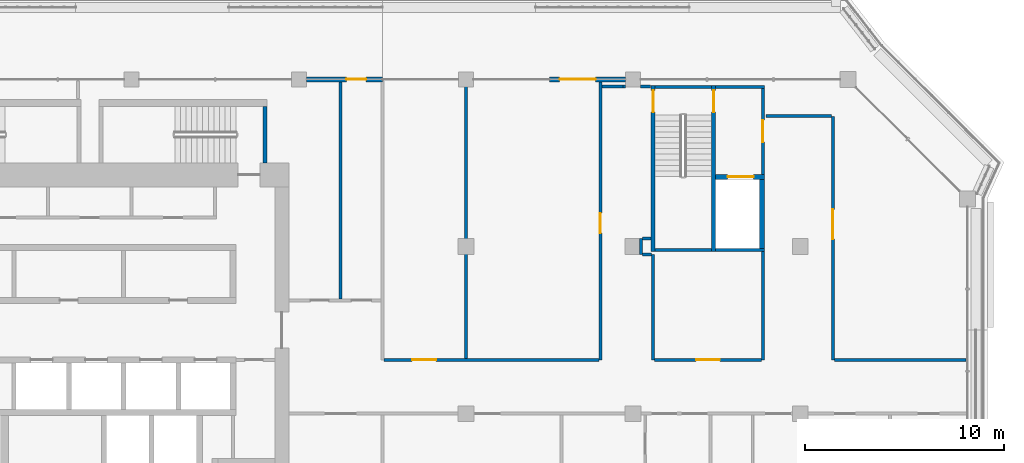
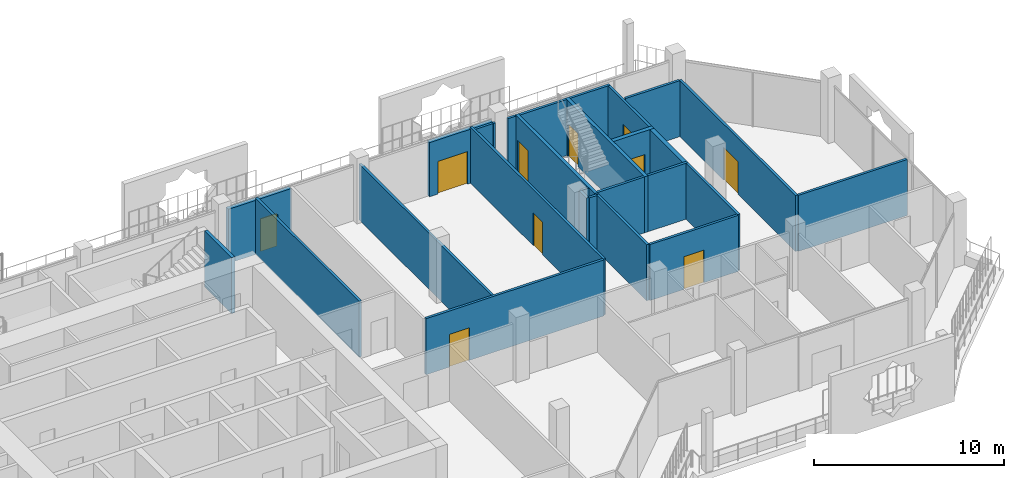
# One storey, part 13 of 22: 28 walls, 10 doors, 10 openings.
"""IFC4 building model written with IfcOpenShell, lengths in metres."""

from ifc_helpers import new_model, si_unit, direction, frame, frame_2d, origin, place, context, subcontext, project, spatial, rectangle, extrude, material, layer, layer_set, type_object, element, fill, save


model = new_model("IFC4")

# Units and contexts
model_context = context("Model", 3, precision=1e-05, world=origin(), true_north=direction((0.0, 1.0)))
body_context = subcontext(model_context, "Body", "Model", "MODEL_VIEW")
ifc_project = project(units=[si_unit("LENGTHUNIT", "METRE"), si_unit("AREAUNIT", "SQUARE_METRE"), si_unit("VOLUMEUNIT", "CUBIC_METRE"), si_unit("PLANEANGLEUNIT", "RADIAN"), si_unit("MASSUNIT", "GRAM", prefix="KILO")], contexts=[model_context])

# Site, building, storey
site_placement = place(None, origin())
site = spatial("IfcSite", under=ifc_project, at=site_placement, CompositionType="ELEMENT")
building_placement = place(site_placement, origin())
building = spatial("IfcBuilding", under=site, at=building_placement, Name="Kawkab Arch Medical Tower", CompositionType="ELEMENT")
storey_placement = place(building_placement, frame((0.0, 0.0, 294.39990234375)))
storey = spatial("IfcBuildingStorey", under=building, at=storey_placement, Name="L68", CompositionType="ELEMENT", Elevation=294.39990234375)

# Wall, opening, door
ifc_material_1 = material(Name="Gypsum board on steel studs", Category="steel")
ifc_layer_1 = layer(ifc_material_1, 0.14990234375)
ifc_layer_set_1 = layer_set([ifc_layer_1], Name="Gypsum board on steel studs")
wall_type_1 = type_object("IfcWallType", Name="Core room partition 150", PredefinedType="PARTITIONING", material=ifc_layer_set_1)
wall_1_placement = place(storey_placement, frame((48.52490234375, -4.77490234375, 0.0), z_axis=(0.0, 0.0, 1.0), x_axis=(0.0, 1.0, 0.0)))
wall_1 = element("IfcWall", 1, at=wall_1_placement, inside=storey, type_object=wall_type_1, Name="L68 core room partition", PredefinedType="PARTITIONING", context=body_context, shape_type="SweptSolid", body=[
    extrude(rectangle(XDim=4.324951171875, YDim=0.14990234375, at=frame_2d((2.16259765625, 0.0))), origin(), (0.0, 0.0, 1.0), 3.60009765625),
])
opening_1_placement = place(wall_1_placement, frame((1.625, 0.0, 0.0)))
opening_1 = element("IfcOpeningElement", 2, at=opening_1_placement, cuts=wall_1, Name="Opening FD", PredefinedType="OPENING", context=body_context, shape_type="SweptSolid", body=[
    extrude(rectangle(XDim=1.10009765625, YDim=2.10009765625, at=frame_2d((0.550048828125, 1.050048828125))), frame((0.0, 0.0849609375, 0.0), z_axis=(0.0, -1.0, 0.0), x_axis=(1.0, 0.0, 0.0)), (0.0, 0.0, 1.0), 0.169921875),
])
ifc_material_2 = material(Name="Hollow metal fire door leaf")
door_type_1 = type_object("IfcDoorType", Name="Firefighting lobby door 1100", OperationType="SINGLE_SWING_LEFT", PredefinedType="DOOR", material=ifc_material_2)
door_1_placement = place(opening_1_placement, origin())
door_1 = element("IfcDoor", 3, at=door_1_placement, inside=storey, type_object=door_type_1, Name="L68 Service lift lobby door SV1", OperationType="SINGLE_SWING_LEFT", OverallHeight=2.10009765625, OverallWidth=1.10009765625, PredefinedType="DOOR", context=body_context, shape_type="SweptSolid", body=[
    extrude(rectangle(XDim=1.10009765625, YDim=2.10009765625, at=frame_2d((0.550048828125, 1.050048828125))), frame((0.0, 0.02490234375, 0.0), z_axis=(0.0, -1.0, 0.0), x_axis=(1.0, 0.0, 0.0)), (0.0, 0.0, 1.0), 0.050048828125),
])
fill(opening_1, door_1)

ifc_material_3 = material(Name="Concrete C60/75", Category="concrete")
ifc_layer_2 = layer(ifc_material_3, 0.25)
ifc_layer_set_2 = layer_set([ifc_layer_2], Name="Concrete C60/75")
wall_type_2 = type_object("IfcWallType", Name="Core shear wall 250 C60/75", PredefinedType="SHEAR", material=ifc_layer_set_2)
wall_2_placement = place(storey_placement, frame((46.14990234375, -4.89990234375, 0.0), z_axis=(0.0, 0.0, 1.0), x_axis=(1.0, 0.0, 0.0)))
wall_2 = element("IfcWall", 4, at=wall_2_placement, inside=storey, type_object=wall_type_2, Name="L68 core shear wall", PredefinedType="SHEAR", context=body_context, shape_type="SweptSolid", body=[
    extrude(rectangle(XDim=2.4501953125, YDim=0.25, at=frame_2d((1.22509765625, 0.0))), origin(), (0.0, 0.0, 1.0), 3.60009765625),
])
opening_2_placement = place(wall_2_placement, frame((0.60009765625, 0.0, 0.0)))
opening_2 = element("IfcOpeningElement", 5, at=opening_2_placement, cuts=wall_2, Name="Opening LD2", PredefinedType="OPENING", context=body_context, shape_type="SweptSolid", body=[
    extrude(rectangle(XDim=1.300048828125, YDim=2.10009765625, at=frame_2d((0.64990234375, 1.050048828125))), frame((0.0, 0.135009765625, 0.0), z_axis=(0.0, -1.0, 0.0), x_axis=(1.0, 0.0, 0.0)), (0.0, 0.0, 1.0), 0.27001953125),
])
ifc_material_4 = material(Name="Stainless steel lift door leaf", Category="steel")
door_type_2 = type_object("IfcDoorType", Name="Lift landing door 1300", OperationType="DOUBLE_DOOR_SLIDING", PredefinedType="DOOR", material=ifc_material_4)
door_2_placement = place(opening_2_placement, origin())
door_2 = element("IfcDoor", 6, at=door_2_placement, inside=storey, type_object=door_type_2, Name="L68 Lift landing door SV1", OperationType="DOUBLE_DOOR_SLIDING", OverallHeight=2.10009765625, OverallWidth=1.300048828125, PredefinedType="DOOR", context=body_context, shape_type="SweptSolid", body=[
    extrude(rectangle(XDim=1.300048828125, YDim=2.10009765625, at=frame_2d((0.64990234375, 1.050048828125))), frame((0.0, 0.02490234375, 0.0), z_axis=(0.0, -1.0, 0.0), x_axis=(1.0, 0.0, 0.0)), (0.0, 0.0, 1.0), 0.050048828125),
])
fill(opening_2, door_2)

# Wall
wall_3_placement = place(storey_placement, frame((48.47509765625, -8.5, 0.0), z_axis=(0.0, 0.0, 1.0), x_axis=(0.0, 1.0, 0.0)))
element("IfcWall", 7, at=wall_3_placement, inside=storey, type_object=wall_type_2, Name="L68 core shear wall", PredefinedType="SHEAR", context=body_context, shape_type="SweptSolid", body=[
    extrude(rectangle(XDim=3.47509765625, YDim=0.25, at=frame_2d((1.737548828125, 0.0))), origin(), (0.0, 0.0, 1.0), 3.60009765625),
])

# Wall, opening, door
ifc_material_5 = material(Name="Bronze clad insulated wall panel")
ifc_layer_3 = layer(ifc_material_5, 0.25)
ifc_layer_set_3 = layer_set([ifc_layer_3], Name="Bronze clad insulated wall panel")
wall_type_3 = type_object("IfcWallType", Name="External wall bay 250", PredefinedType="SOLIDWALL", material=ifc_layer_set_3)
wall_4_placement = place(storey_placement, frame((41.625, 0.0, 0.0), z_axis=(0.0, 0.0, 1.0), x_axis=(-1.0, 0.0, 0.0)))
wall_4 = element("IfcWall", 8, at=wall_4_placement, inside=storey, type_object=wall_type_3, Name="External wall bay L68.R15.2.1", PredefinedType="SOLIDWALL", context=body_context, shape_type="SweptSolid", body=[
    extrude(rectangle(XDim=3.824951171875, YDim=0.25, at=frame_2d((1.91259765625, 0.0))), origin(), (0.0, 0.0, 1.0), 3.47998046875),
])
opening_3_placement = place(wall_4_placement, frame((1.512451171875, 0.0, 0.0)))
opening_3 = element("IfcOpeningElement", 9, at=opening_3_placement, cuts=wall_4, Name="Opening W68-701", PredefinedType="OPENING", context=body_context, shape_type="SweptSolid", body=[
    extrude(rectangle(XDim=1.800048828125, YDim=2.10009765625, at=frame_2d((0.89990234375, 1.050048828125))), frame((0.0, 0.135009765625, 0.0), z_axis=(0.0, -1.0, 0.0), x_axis=(1.0, 0.0, 0.0)), (0.0, 0.0, 1.0), 0.27001953125),
])
ifc_material_6 = material(Name="Bronze anodised aluminium door with tinted glass", Category="aluminium")
door_type_3 = type_object("IfcDoorType", Name="Double external door 1800 x 2100", OperationType="DOUBLE_DOOR_SINGLE_SWING", PredefinedType="DOOR", material=ifc_material_6)
door_3_placement = place(opening_3_placement, origin())
door_3 = element("IfcDoor", 10, at=door_3_placement, inside=storey, type_object=door_type_3, Name="External door L68.R15.2.1", OperationType="DOUBLE_DOOR_SINGLE_SWING", OverallHeight=2.10009765625, OverallWidth=1.800048828125, PredefinedType="DOOR", context=body_context, shape_type="SweptSolid", body=[
    extrude(rectangle(XDim=1.800048828125, YDim=2.10009765625, at=frame_2d((0.89990234375, 1.050048828125))), frame((0.0, 0.02490234375, 0.0), z_axis=(0.0, -1.0, 0.0), x_axis=(1.0, 0.0, 0.0)), (0.0, 0.0, 1.0), 0.050048828125),
])
fill(opening_3, door_3)

wall_5_placement = place(storey_placement, frame((29.39990234375, 0.0, 0.0), z_axis=(0.0, 0.0, 1.0), x_axis=(-1.0, 0.0, 0.0)))
wall_5 = element("IfcWall", 11, at=wall_5_placement, inside=storey, type_object=wall_type_3, Name="External wall bay L68.R15.3.2", PredefinedType="SOLIDWALL", context=body_context, shape_type="SweptSolid", body=[
    extrude(rectangle(XDim=3.824951171875, YDim=0.25, at=frame_2d((1.91259765625, 0.0))), origin(), (0.0, 0.0, 1.0), 3.47998046875),
])
opening_4_placement = place(wall_5_placement, frame((0.8125, 0.0, 0.0)))
opening_4 = element("IfcOpeningElement", 12, at=opening_4_placement, cuts=wall_5, Name="Opening W68-702", PredefinedType="OPENING", context=body_context, shape_type="SweptSolid", body=[
    extrude(rectangle(XDim=1.0, YDim=2.10009765625, at=frame_2d((0.5, 1.050048828125))), frame((0.0, 0.135009765625, 0.0), z_axis=(0.0, -1.0, 0.0), x_axis=(1.0, 0.0, 0.0)), (0.0, 0.0, 1.0), 0.27001953125),
])
ifc_material_7 = material(Name="Bronze anodised aluminium door with tinted glass", Category="aluminium")
door_type_4 = type_object("IfcDoorType", Name="Single external door 1000 x 2100", OperationType="SINGLE_SWING_LEFT", PredefinedType="DOOR", material=ifc_material_7)
door_4_placement = place(opening_4_placement, origin())
door_4 = element("IfcDoor", 13, at=door_4_placement, inside=storey, type_object=door_type_4, Name="External door L68.R15.3.2", OperationType="SINGLE_SWING_LEFT", OverallHeight=2.10009765625, OverallWidth=1.0, PredefinedType="DOOR", context=body_context, shape_type="SweptSolid", body=[
    extrude(rectangle(XDim=1.0, YDim=2.10009765625, at=frame_2d((0.5, 1.050048828125))), frame((0.0, 0.02490234375, 0.0), z_axis=(0.0, -1.0, 0.0), x_axis=(1.0, 0.0, 0.0)), (0.0, 0.0, 1.0), 0.050048828125),
])
fill(opening_4, door_4)

ifc_material_8 = material(Name="Gypsum board partition on steel studs, mineral wool", Category="steel")
ifc_layer_4 = layer(ifc_material_8, 0.14990234375)
ifc_layer_set_4 = layer_set([ifc_layer_4], Name="Gypsum board partition on steel studs, mineral wool")
wall_type_4 = type_object("IfcWallType", Name="Partition 150", PredefinedType="PARTITIONING", material=ifc_layer_set_4)
wall_6_placement = place(storey_placement, frame((29.47509765625, -14.10009765625, 0.0), z_axis=(0.0, 0.0, 1.0), x_axis=(1.0, 0.0, 0.0)))
wall_6 = element("IfcWall", 14, at=wall_6_placement, inside=storey, type_object=wall_type_4, Name="Partition 150 w015", PredefinedType="PARTITIONING", context=body_context, shape_type="SweptSolid", body=[
    extrude(rectangle(XDim=10.806884765625, YDim=0.14990234375, at=frame_2d((5.4033203125, 0.0))), origin(), (0.0, 0.0, 1.0), 3.60009765625),
])
opening_5_placement = place(wall_6_placement, frame((1.425048828125, 0.0, 0.0)))
opening_5 = element("IfcOpeningElement", 15, at=opening_5_placement, cuts=wall_6, Name="Opening W68-021", PredefinedType="OPENING", context=body_context, shape_type="SweptSolid", body=[
    extrude(rectangle(XDim=1.199951171875, YDim=2.10009765625, at=frame_2d((0.60009765625, 1.050048828125))), frame((0.0, 0.0849609375, 0.0), z_axis=(0.0, -1.0, 0.0), x_axis=(1.0, 0.0, 0.0)), (0.0, 0.0, 1.0), 0.169921875),
])
ifc_material_9 = material(Name="Hollow metal door leaf")
door_type_5 = type_object("IfcDoorType", Name="Single door 1200x2100 FD30S", OperationType="NOTDEFINED", PredefinedType="DOOR", material=ifc_material_9)
door_5_placement = place(opening_5_placement, origin())
door_5 = element("IfcDoor", 16, at=door_5_placement, inside=storey, type_object=door_type_5, Name="Door W68-021", OperationType="SINGLE_SWING_LEFT", OverallHeight=2.10009765625, OverallWidth=1.199951171875, PredefinedType="DOOR", context=body_context, shape_type="SweptSolid", body=[
    extrude(rectangle(XDim=1.199951171875, YDim=2.10009765625, at=frame_2d((0.60009765625, 1.050048828125))), frame((0.0, 0.02490234375, 0.0), z_axis=(0.0, -1.0, 0.0), x_axis=(1.0, 0.0, 0.0)), (0.0, 0.0, 1.0), 0.050048828125),
])
fill(opening_5, door_5)

wall_7_placement = place(storey_placement, frame((43.074951171875, -14.10009765625, 0.0), z_axis=(0.0, 0.0, 1.0), x_axis=(1.0, 0.0, 0.0)))
wall_7 = element("IfcWall", 17, at=wall_7_placement, inside=storey, type_object=wall_type_4, Name="Partition 150 w016", PredefinedType="PARTITIONING", context=body_context, shape_type="SweptSolid", body=[
    extrude(rectangle(XDim=5.375, YDim=0.14990234375, at=frame_2d((2.6875, 0.0))), origin(), (0.0, 0.0, 1.0), 3.60009765625),
])
opening_6_placement = place(wall_7_placement, frame((2.0869140625, 0.0, 0.0)))
opening_6 = element("IfcOpeningElement", 18, at=opening_6_placement, cuts=wall_7, Name="Opening W68-014", PredefinedType="OPENING", context=body_context, shape_type="SweptSolid", body=[
    extrude(rectangle(XDim=1.199951171875, YDim=2.10009765625, at=frame_2d((0.60009765625, 1.050048828125))), frame((0.0, 0.0849609375, 0.0), z_axis=(0.0, -1.0, 0.0), x_axis=(1.0, 0.0, 0.0)), (0.0, 0.0, 1.0), 0.169921875),
])
door_6_placement = place(opening_6_placement, origin())
door_6 = element("IfcDoor", 19, at=door_6_placement, inside=storey, type_object=door_type_5, Name="Door W68-014", OperationType="SINGLE_SWING_RIGHT", OverallHeight=2.10009765625, OverallWidth=1.199951171875, PredefinedType="DOOR", context=body_context, shape_type="SweptSolid", body=[
    extrude(rectangle(XDim=1.199951171875, YDim=2.10009765625, at=frame_2d((0.60009765625, 1.050048828125))), frame((0.0, 0.02490234375, 0.0), z_axis=(0.0, -1.0, 0.0), x_axis=(1.0, 0.0, 0.0)), (0.0, 0.0, 1.0), 0.050048828125),
])
fill(opening_6, door_6)

# Walls
wall_8_placement = place(storey_placement, frame((52.117919921875, -14.10009765625, 0.0), z_axis=(0.0, 0.0, 1.0), x_axis=(1.0, 0.0, 0.0)))
element("IfcWall", 20, at=wall_8_placement, inside=storey, type_object=wall_type_4, Name="Partition 150 w017", PredefinedType="PARTITIONING", context=body_context, shape_type="SweptSolid", body=[
    extrude(rectangle(XDim=6.60205078125, YDim=0.14990234375, at=frame_2d((3.301025390625, 0.0))), origin(), (0.0, 0.0, 1.0), 3.60009765625),
])
wall_9_placement = place(storey_placement, frame((42.47509765625, -8.800048828125, 0.0), z_axis=(0.0, 0.0, 1.0), x_axis=(1.0, 0.0, 0.0)))
element("IfcWall", 21, at=wall_9_placement, inside=storey, type_object=wall_type_4, Name="Partition 150 w019", PredefinedType="PARTITIONING", context=body_context, shape_type="SweptSolid", body=[
    extrude(rectangle(XDim=0.447998046875, YDim=0.14990234375, at=frame_2d((0.22412109375, 0.0))), origin(), (0.0, 0.0, 1.0), 3.60009765625),
])
wall_10_placement = place(storey_placement, frame((42.47607421875, -8.0, 0.0), z_axis=(0.0, 0.0, 1.0), x_axis=(1.0, 0.0, 0.0)))
element("IfcWall", 22, at=wall_10_placement, inside=storey, type_object=wall_type_4, Name="Partition 150 w020", PredefinedType="PARTITIONING", context=body_context, shape_type="SweptSolid", body=[
    extrude(rectangle(XDim=0.423828125, YDim=0.14990234375, at=frame_2d((0.2119140625, 0.0))), origin(), (0.0, 0.0, 1.0), 3.60009765625),
])
wall_11_placement = place(storey_placement, frame((48.679931640625, -1.85009765625, 0.0), z_axis=(0.0, 0.0, 1.0), x_axis=(1.0, 0.0, 0.0)))
element("IfcWall", 23, at=wall_11_placement, inside=storey, type_object=wall_type_4, Name="Partition 150 w021", PredefinedType="PARTITIONING", context=body_context, shape_type="SweptSolid", body=[
    extrude(rectangle(XDim=3.287109375, YDim=0.14990234375, at=frame_2d((1.6435546875, 0.0))), origin(), (0.0, 0.0, 1.0), 3.60009765625),
])
wall_12_placement = place(storey_placement, frame((41.488037109375, -0.362060546875, 0.0), z_axis=(0.0, 0.0, 1.0), x_axis=(1.0, 0.0, 0.0)))
element("IfcWall", 24, at=wall_12_placement, inside=storey, type_object=wall_type_4, Name="Partition 150 w022", PredefinedType="PARTITIONING", context=body_context, shape_type="SweptSolid", body=[
    extrude(rectangle(XDim=0.136962890625, YDim=0.14990234375, at=frame_2d((0.068359375, 0.0))), origin(), (0.0, 0.0, 1.0), 3.60009765625),
])
wall_13_placement = place(storey_placement, frame((42.375, -0.362060546875, 0.0), z_axis=(0.0, 0.0, 1.0), x_axis=(1.0, 0.0, 0.0)))
element("IfcWall", 25, at=wall_13_placement, inside=storey, type_object=wall_type_4, Name="Partition 150 w023", PredefinedType="PARTITIONING", context=body_context, shape_type="SweptSolid", body=[
    extrude(rectangle(XDim=0.4951171875, YDim=0.14990234375, at=frame_2d((0.24755859375, 0.0))), origin(), (0.0, 0.0, 1.0), 3.60009765625),
])
wall_14_placement = place(storey_placement, frame((40.431884765625, -0.35009765625, 0.0), z_axis=(0.0, 0.0, 1.0), x_axis=(1.0, 0.0, 0.0)))
element("IfcWall", 26, at=wall_14_placement, inside=storey, type_object=wall_type_4, Name="Partition 150 w024", PredefinedType="PARTITIONING", context=body_context, shape_type="SweptSolid", body=[
    extrude(rectangle(XDim=1.05615234375, YDim=0.14990234375, at=frame_2d((0.528076171875, 0.0))), origin(), (0.0, 0.0, 1.0), 3.60009765625),
])
wall_15_placement = place(storey_placement, frame((27.300048828125, -11.02490234375, 0.0), z_axis=(0.0, 0.0, 1.0), x_axis=(0.0, 1.0, 0.0)))
element("IfcWall", 27, at=wall_15_placement, inside=storey, type_object=wall_type_4, Name="Partition 150 w031", PredefinedType="PARTITIONING", context=body_context, shape_type="SweptSolid", body=[
    extrude(rectangle(XDim=10.94482421875, YDim=0.14990234375, at=frame_2d((5.472412109375, 0.0))), origin(), (0.0, 0.0, 1.0), 3.60009765625),
])
wall_16_placement = place(storey_placement, frame((33.60009765625, -14.02490234375, 0.0), z_axis=(0.0, 0.0, 1.0), x_axis=(0.0, 1.0, 0.0)))
element("IfcWall", 28, at=wall_16_placement, inside=storey, type_object=wall_type_4, Name="Partition 150 w034", PredefinedType="PARTITIONING", context=body_context, shape_type="SweptSolid", body=[
    extrude(rectangle(XDim=13.94482421875, YDim=0.14990234375, at=frame_2d((6.972412109375, 0.0))), origin(), (0.0, 0.0, 1.0), 3.60009765625),
])

# Wall, opening, door
wall_17_placement = place(storey_placement, frame((40.35693359375, -14.10009765625, 0.0), z_axis=(0.0, 0.0, 1.0), x_axis=(0.0, 1.0, 0.0)))
wall_17 = element("IfcWall", 29, at=wall_17_placement, inside=storey, type_object=wall_type_4, Name="Partition 150 w036", PredefinedType="PARTITIONING", context=body_context, shape_type="SweptSolid", body=[
    extrude(rectangle(XDim=14.02001953125, YDim=0.14990234375, at=frame_2d((7.010009765625, 0.0))), origin(), (0.0, 0.0, 1.0), 3.60009765625),
])
opening_7_placement = place(wall_17_placement, frame((6.375, 0.0, 0.0)))
opening_7 = element("IfcOpeningElement", 30, at=opening_7_placement, cuts=wall_17, Name="Opening W68-010", PredefinedType="OPENING", context=body_context, shape_type="SweptSolid", body=[
    extrude(rectangle(XDim=1.0, YDim=2.10009765625, at=frame_2d((0.5, 1.050048828125))), frame((0.0, 0.0849609375, 0.0), z_axis=(0.0, -1.0, 0.0), x_axis=(1.0, 0.0, 0.0)), (0.0, 0.0, 1.0), 0.169921875),
])
ifc_material_10 = material(Name="Hollow metal door leaf")
door_type_6 = type_object("IfcDoorType", Name="Single door 1000x2100 FD30S", OperationType="NOTDEFINED", PredefinedType="DOOR", material=ifc_material_10)
door_7_placement = place(opening_7_placement, origin())
door_7 = element("IfcDoor", 31, at=door_7_placement, inside=storey, type_object=door_type_6, Name="Door W68-010", OperationType="SINGLE_SWING_LEFT", OverallHeight=2.10009765625, OverallWidth=1.0, PredefinedType="DOOR", context=body_context, shape_type="SweptSolid", body=[
    extrude(rectangle(XDim=1.0, YDim=2.10009765625, at=frame_2d((0.5, 1.050048828125))), frame((0.0, 0.02490234375, 0.0), z_axis=(0.0, -1.0, 0.0), x_axis=(1.0, 0.0, 0.0)), (0.0, 0.0, 1.0), 0.050048828125),
])
fill(opening_7, door_7)

# Walls
wall_18_placement = place(storey_placement, frame((42.39990234375, -8.800048828125, 0.0), z_axis=(0.0, 0.0, 1.0), x_axis=(0.0, 1.0, 0.0)))
element("IfcWall", 32, at=wall_18_placement, inside=storey, type_object=wall_type_4, Name="Partition 150 w037", PredefinedType="PARTITIONING", context=body_context, shape_type="SweptSolid", body=[
    extrude(rectangle(XDim=0.799072265625, YDim=0.14990234375, at=frame_2d((0.3994140625, 0.0))), origin(), (0.0, 0.0, 1.0), 3.60009765625),
])
wall_19_placement = place(storey_placement, frame((43.0, -14.10009765625, 0.0), z_axis=(0.0, 0.0, 1.0), x_axis=(0.0, 1.0, 0.0)))
element("IfcWall", 33, at=wall_19_placement, inside=storey, type_object=wall_type_4, Name="Partition 150 w038", PredefinedType="PARTITIONING", context=body_context, shape_type="SweptSolid", body=[
    extrude(rectangle(XDim=5.298095703125, YDim=0.14990234375, at=frame_2d((2.64892578125, 0.0))), origin(), (0.0, 0.0, 1.0), 3.60009765625),
])
wall_20_placement = place(storey_placement, frame((48.52490234375, -14.10009765625, 0.0), z_axis=(0.0, 0.0, 1.0), x_axis=(0.0, 1.0, 0.0)))
element("IfcWall", 34, at=wall_20_placement, inside=storey, type_object=wall_type_4, Name="Partition 150 w040", PredefinedType="PARTITIONING", context=body_context, shape_type="SweptSolid", body=[
    extrude(rectangle(XDim=5.4501953125, YDim=0.14990234375, at=frame_2d((2.72509765625, 0.0))), origin(), (0.0, 0.0, 1.0), 3.60009765625),
])

# Wall, opening, door
wall_21_placement = place(storey_placement, frame((52.04296875, -14.10009765625, 0.0), z_axis=(0.0, 0.0, 1.0), x_axis=(0.0, 1.0, 0.0)))
wall_21 = element("IfcWall", 35, at=wall_21_placement, inside=storey, type_object=wall_type_4, Name="Partition 150 w042", PredefinedType="PARTITIONING", context=body_context, shape_type="SweptSolid", body=[
    extrude(rectangle(XDim=12.248046875, YDim=0.14990234375, at=frame_2d((6.1240234375, 0.0))), origin(), (0.0, 0.0, 1.0), 3.60009765625),
])
opening_8_placement = place(wall_21_placement, frame((6.073974609375, 0.0, 0.0)))
opening_8 = element("IfcOpeningElement", 36, at=opening_8_placement, cuts=wall_21, Name="Opening W68-002", PredefinedType="OPENING", context=body_context, shape_type="SweptSolid", body=[
    extrude(rectangle(XDim=1.5, YDim=2.10009765625, at=frame_2d((0.75, 1.050048828125))), frame((0.0, 0.0849609375, 0.0), z_axis=(0.0, -1.0, 0.0), x_axis=(1.0, 0.0, 0.0)), (0.0, 0.0, 1.0), 0.169921875),
])
ifc_material_11 = material(Name="Hollow metal door leaf")
door_type_7 = type_object("IfcDoorType", Name="Double door 1500x2100 FD30S", OperationType="NOTDEFINED", PredefinedType="DOOR", material=ifc_material_11)
door_8_placement = place(opening_8_placement, origin())
door_8 = element("IfcDoor", 37, at=door_8_placement, inside=storey, type_object=door_type_7, Name="Door W68-002", OperationType="DOUBLE_DOOR_SINGLE_SWING", OverallHeight=2.10009765625, OverallWidth=1.5, PredefinedType="DOOR", context=body_context, shape_type="SweptSolid", body=[
    extrude(rectangle(XDim=1.5, YDim=2.10009765625, at=frame_2d((0.75, 1.050048828125))), frame((0.0, 0.02490234375, 0.0), z_axis=(0.0, -1.0, 0.0), x_axis=(1.0, 0.0, 0.0)), (0.0, 0.0, 1.0), 0.050048828125),
])
fill(opening_8, door_8)

# Walls
ifc_material_12 = material(Name="Concrete C50/60", Category="concrete")
ifc_layer_5 = layer(ifc_material_12, 0.14990234375)
ifc_layer_set_5 = layer_set([ifc_layer_5], Name="Concrete C50/60")
wall_type_5 = type_object("IfcWallType", Name="Stair enclosure wall 150 C50/60", PredefinedType="SHEAR", material=ifc_layer_set_5)
wall_22_placement = place(storey_placement, frame((43.10009765625, -0.375, 0.0), z_axis=(0.0, 0.0, 1.0), x_axis=(1.0, 0.0, 0.0)))
element("IfcWall", 38, at=wall_22_placement, inside=storey, type_object=wall_type_5, Name="L68 stair enclosure wall", PredefinedType="SHEAR", context=body_context, shape_type="SweptSolid", body=[
    extrude(rectangle(XDim=2.849853515625, YDim=0.14990234375, at=frame_2d((1.4248046875, 0.0))), origin(), (0.0, 0.0, 1.0), 3.60009765625),
])
wall_23_placement = place(storey_placement, frame((46.14990234375, -0.375, 0.0), z_axis=(0.0, 0.0, 1.0), x_axis=(1.0, 0.0, 0.0)))
element("IfcWall", 39, at=wall_23_placement, inside=storey, type_object=wall_type_5, Name="L68 stair enclosure wall", PredefinedType="SHEAR", context=body_context, shape_type="SweptSolid", body=[
    extrude(rectangle(XDim=2.4501953125, YDim=0.14990234375, at=frame_2d((1.22509765625, 0.0))), origin(), (0.0, 0.0, 1.0), 3.60009765625),
])
wall_24_placement = place(storey_placement, frame((43.10009765625, -8.574951171875, 0.0), z_axis=(0.0, 0.0, 1.0), x_axis=(1.0, 0.0, 0.0)))
element("IfcWall", 40, at=wall_24_placement, inside=storey, type_object=wall_type_5, Name="L68 stair enclosure wall", PredefinedType="SHEAR", context=body_context, shape_type="SweptSolid", body=[
    extrude(rectangle(XDim=2.849853515625, YDim=0.14990234375, at=frame_2d((1.4248046875, 0.0))), origin(), (0.0, 0.0, 1.0), 3.60009765625),
])
wall_25_placement = place(storey_placement, frame((46.14990234375, -8.574951171875, 0.0), z_axis=(0.0, 0.0, 1.0), x_axis=(1.0, 0.0, 0.0)))
element("IfcWall", 41, at=wall_25_placement, inside=storey, type_object=wall_type_5, Name="L68 stair enclosure wall", PredefinedType="SHEAR", context=body_context, shape_type="SweptSolid", body=[
    extrude(rectangle(XDim=2.4501953125, YDim=0.14990234375, at=frame_2d((1.22509765625, 0.0))), origin(), (0.0, 0.0, 1.0), 3.60009765625),
])
ifc_material_13 = material(Name="Concrete C50/60", Category="concrete")
ifc_layer_6 = layer(ifc_material_13, 0.199951171875)
ifc_layer_set_6 = layer_set([ifc_layer_6], Name="Concrete C50/60")
wall_type_6 = type_object("IfcWallType", Name="Stair enclosure wall 200 C50/60", PredefinedType="SHEAR", material=ifc_layer_set_6)
wall_26_placement = place(storey_placement, frame((23.5, -4.199951171875, 0.0), z_axis=(0.0, 0.0, 1.0), x_axis=(0.0, 1.0, 0.0)))
element("IfcWall", 42, at=wall_26_placement, inside=storey, type_object=wall_type_6, Name="L68 stair enclosure wall", PredefinedType="SHEAR", context=body_context, shape_type="SweptSolid", body=[
    extrude(rectangle(XDim=2.849853515625, YDim=0.199951171875, at=frame_2d((1.4248046875, 0.0))), origin(), (0.0, 0.0, 1.0), 3.60009765625),
])

# Wall, opening, door
wall_27_placement = place(storey_placement, frame((43.0, -8.64990234375, 0.0), z_axis=(0.0, 0.0, 1.0), x_axis=(0.0, 1.0, 0.0)))
wall_27 = element("IfcWall", 43, at=wall_27_placement, inside=storey, type_object=wall_type_6, Name="L68 stair enclosure wall", PredefinedType="SHEAR", context=body_context, shape_type="SweptSolid", body=[
    extrude(rectangle(XDim=8.349853515625, YDim=0.199951171875, at=frame_2d((4.1748046875, 0.0))), origin(), (0.0, 0.0, 1.0), 3.60009765625),
])
opening_9_placement = place(wall_27_placement, frame((7.0, 0.0, 0.0)))
opening_9 = element("IfcOpeningElement", 44, at=opening_9_placement, cuts=wall_27, Name="Opening SD", PredefinedType="OPENING", context=body_context, shape_type="SweptSolid", body=[
    extrude(rectangle(XDim=1.10009765625, YDim=2.10009765625, at=frame_2d((0.550048828125, 1.050048828125))), frame((0.0, 0.10986328125, 0.0), z_axis=(0.0, -1.0, 0.0), x_axis=(1.0, 0.0, 0.0)), (0.0, 0.0, 1.0), 0.219970703125),
])
ifc_material_14 = material(Name="Hollow metal fire door leaf")
door_type_8 = type_object("IfcDoorType", Name="Exit stair door 1100", OperationType="SINGLE_SWING_LEFT", PredefinedType="DOOR", material=ifc_material_14)
door_9_placement = place(opening_9_placement, frame((1.10009765625, 0.0, 0.0), z_axis=(0.0, 0.0, 1.0), x_axis=(-1.0, 0.0, 0.0)))
door_9 = element("IfcDoor", 45, at=door_9_placement, inside=storey, type_object=door_type_8, Name="L68 Exit stair ST5 door", OperationType="SINGLE_SWING_LEFT", OverallHeight=2.10009765625, OverallWidth=1.10009765625, PredefinedType="DOOR", context=body_context, shape_type="SweptSolid", body=[
    extrude(rectangle(XDim=1.10009765625, YDim=2.10009765625, at=frame_2d((0.550048828125, 1.050048828125))), frame((0.0, 0.02490234375, 0.0), z_axis=(0.0, -1.0, 0.0), x_axis=(1.0, 0.0, 0.0)), (0.0, 0.0, 1.0), 0.050048828125),
])
fill(opening_9, door_9)

wall_28_placement = place(storey_placement, frame((46.050048828125, -8.64990234375, 0.0), z_axis=(0.0, 0.0, 1.0), x_axis=(0.0, 1.0, 0.0)))
wall_28 = element("IfcWall", 46, at=wall_28_placement, inside=storey, type_object=wall_type_6, Name="L68 stair enclosure wall", PredefinedType="SHEAR", context=body_context, shape_type="SweptSolid", body=[
    extrude(rectangle(XDim=8.349853515625, YDim=0.199951171875, at=frame_2d((4.1748046875, 0.0))), origin(), (0.0, 0.0, 1.0), 3.60009765625),
])
opening_10_placement = place(wall_28_placement, frame((7.0, 0.0, 0.0)))
opening_10 = element("IfcOpeningElement", 47, at=opening_10_placement, cuts=wall_28, Name="Opening SD", PredefinedType="OPENING", context=body_context, shape_type="SweptSolid", body=[
    extrude(rectangle(XDim=1.10009765625, YDim=2.10009765625, at=frame_2d((0.550048828125, 1.050048828125))), frame((0.0, 0.10986328125, 0.0), z_axis=(0.0, -1.0, 0.0), x_axis=(1.0, 0.0, 0.0)), (0.0, 0.0, 1.0), 0.219970703125),
])
door_10_placement = place(opening_10_placement, origin())
door_10 = element("IfcDoor", 48, at=door_10_placement, inside=storey, type_object=door_type_8, Name="L68 Exit stair ST5 lobby door", OperationType="SINGLE_SWING_LEFT", OverallHeight=2.10009765625, OverallWidth=1.10009765625, PredefinedType="DOOR", context=body_context, shape_type="SweptSolid", body=[
    extrude(rectangle(XDim=1.10009765625, YDim=2.10009765625, at=frame_2d((0.550048828125, 1.050048828125))), frame((0.0, 0.02490234375, 0.0), z_axis=(0.0, -1.0, 0.0), x_axis=(1.0, 0.0, 0.0)), (0.0, 0.0, 1.0), 0.050048828125),
])
fill(opening_10, door_10)

save(model, "model.ifc")
